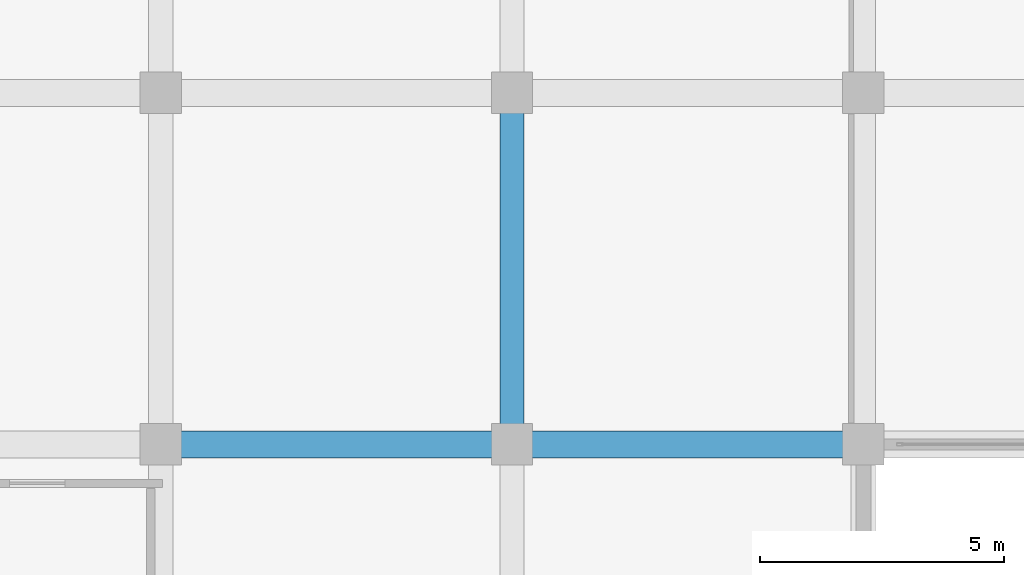
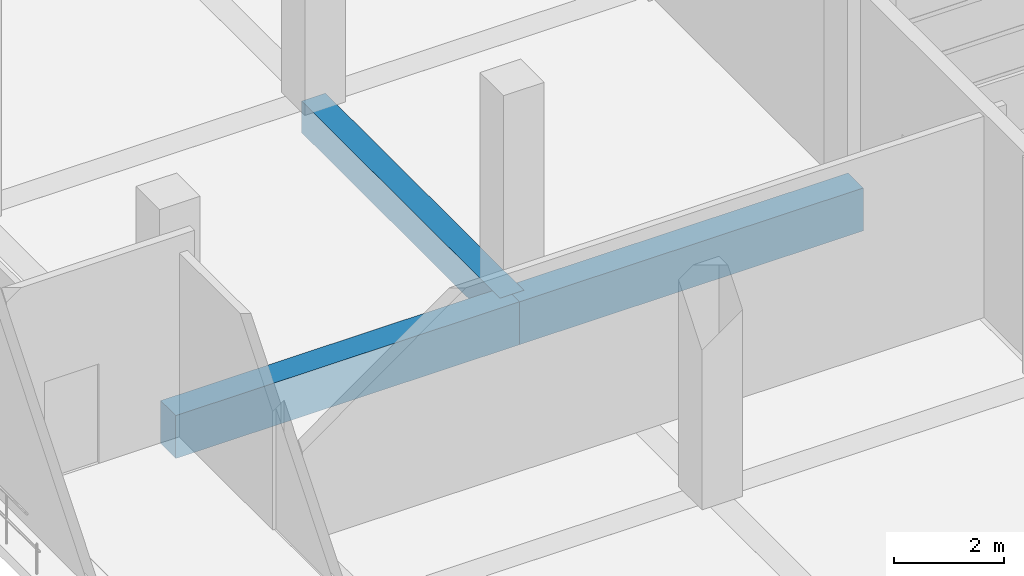
# One storey, part 70 of 181: 3 beams.
"""IFC4 building model written with IfcOpenShell, lengths in metres."""

from ifc_helpers import new_model, si_unit, direction, frame, origin, origin_2d, place, context, subcontext, project, spatial, rectangle, extrude, material, material_profile, profile_set, type_object, element, save


model = new_model("IFC4")

# Units and contexts
model_context = context("Model", 3, precision=1e-05, world=origin(), true_north=direction((0.0, 1.0)))
body_context = subcontext(model_context, "Body", "Model", "MODEL_VIEW")
ifc_project = project(units=[si_unit("LENGTHUNIT", "METRE"), si_unit("AREAUNIT", "SQUARE_METRE"), si_unit("VOLUMEUNIT", "CUBIC_METRE"), si_unit("PLANEANGLEUNIT", "RADIAN"), si_unit("MASSUNIT", "GRAM", prefix="KILO")], contexts=[model_context])

# Site, building, storey
site_placement = place(None, origin())
site = spatial("IfcSite", under=ifc_project, at=site_placement, CompositionType="ELEMENT")
building_placement = place(site_placement, origin())
building = spatial("IfcBuilding", under=site, at=building_placement, Name="Seraya Terrace Polytechnic", CompositionType="ELEMENT")
storey_placement = place(building_placement, frame((0.0, 0.0, 4.800048828125)))
storey = spatial("IfcBuildingStorey", under=building, at=storey_placement, Name="L01", CompositionType="ELEMENT", Elevation=4.800048828125)

# Beams
ifc_material = material(Name="Concrete C40/50", Category="concrete")
ifc_material_profile_1 = material_profile(ifc_material, rectangle(XDim=0.550048828125, YDim=0.949951171875, at=origin_2d()), Name="RC 550x950")
ifc_profile_set_1 = profile_set([ifc_material_profile_1], Name="Concrete C40/50")
beam_type_1 = type_object("IfcBeamType", Name="BM-03", PredefinedType="BEAM", material=ifc_profile_set_1)
for number, where, z_axis, x_axis, name in (
    (1, (28.800048828125, 64.800048828125, -0.47509765625), (1.0, 0.0, 0.0), (0.0, 1.0, 0.0), "Beam BM-03 L01 X (28.8..36.0, 64.8)"),
    (2, (36.0, 64.800048828125, -0.47509765625), (1.0, 0.0, 0.0), (0.0, 1.0, 0.0), "Beam BM-03 L01 X (36.0..43.2, 64.8)"),
):
    element("IfcBeam", number, at=place(storey_placement, frame(where, z_axis=z_axis, x_axis=x_axis)), inside=storey, type_object=beam_type_1, Name=name, PredefinedType="BEAM", context=body_context, shape_type="SweptSolid", body=[
        extrude(rectangle(XDim=0.550048828125, YDim=0.949951171875, at=origin_2d()), origin(), (0.0, 0.0, 1.0), 7.199951171875),
    ])
ifc_material_profile_2 = material_profile(ifc_material, rectangle(XDim=0.5, YDim=0.699951171875, at=origin_2d()), Name="RC 500x700")
ifc_profile_set_2 = profile_set([ifc_material_profile_2], Name="Concrete C40/50")
beam_type_2 = type_object("IfcBeamType", Name="BM-07", PredefinedType="BEAM", material=ifc_profile_set_2)
beam_placement = place(storey_placement, frame((36.0, 64.800048828125, -0.35009765625), z_axis=(0.0, 1.0, 0.0), x_axis=(-1.0, 0.0, 0.0)))
element("IfcBeam", 3, at=beam_placement, inside=storey, type_object=beam_type_2, Name="Beam BM-07 L01 Y (36.0, 64.8..72.0)", PredefinedType="BEAM", context=body_context, shape_type="SweptSolid", body=[
    extrude(rectangle(XDim=0.5, YDim=0.699951171875, at=origin_2d()), origin(), (0.0, 0.0, 1.0), 7.199951171875),
])

save(model, "model.ifc")
